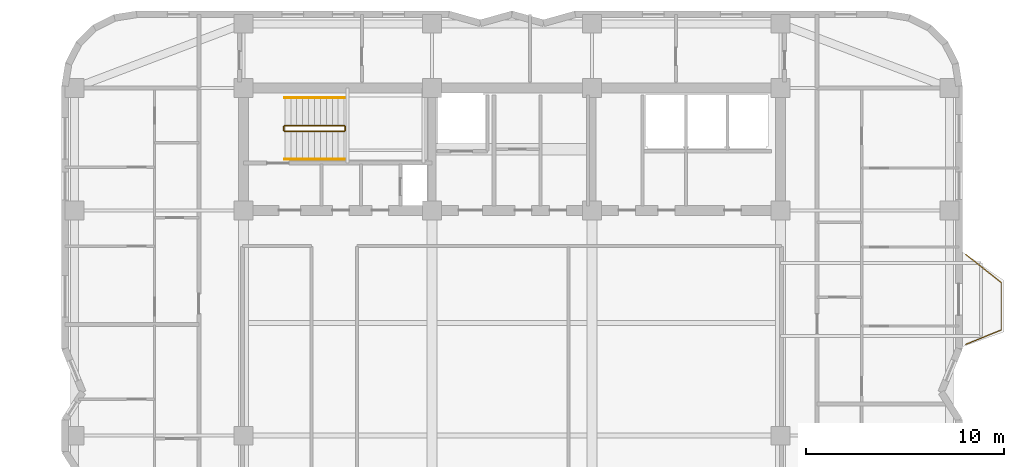
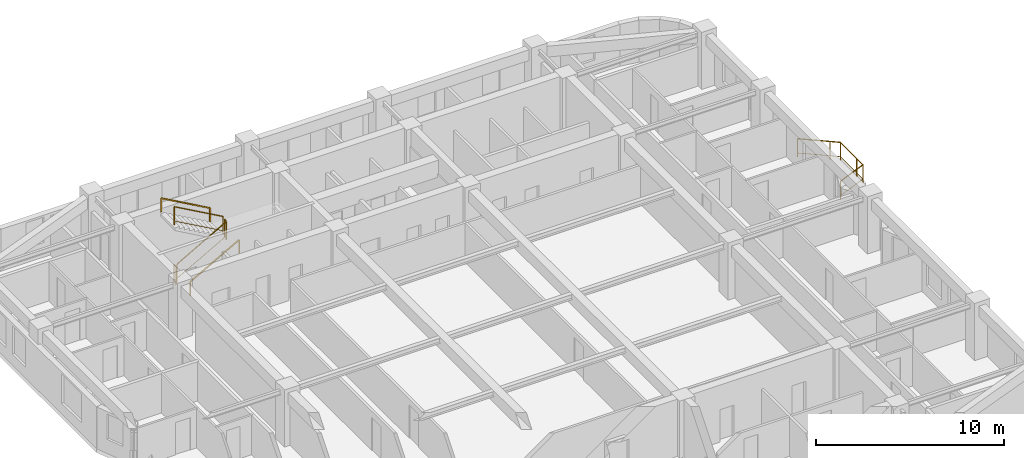
# One storey, part 9 of 9: 7 railings.
"""IFC4 building model written with IfcOpenShell, lengths in metres."""

from ifc_helpers import new_model, si_unit, direction, frame, origin, origin_2d, place, context, subcontext, project, spatial, rectangle, extrude, material, type_object, element, save


model = new_model("IFC4")

# Units and contexts
model_context = context("Model", 3, precision=1e-05, world=origin(), true_north=direction((0.0, 1.0)))
body_context = subcontext(model_context, "Body", "Model", "MODEL_VIEW")
ifc_project = project(units=[si_unit("LENGTHUNIT", "METRE"), si_unit("AREAUNIT", "SQUARE_METRE"), si_unit("VOLUMEUNIT", "CUBIC_METRE"), si_unit("PLANEANGLEUNIT", "RADIAN"), si_unit("MASSUNIT", "GRAM", prefix="KILO")], contexts=[model_context])

# Site, building, storey
site_placement = place(None, origin())
site = spatial("IfcSite", under=ifc_project, at=site_placement, CompositionType="ELEMENT")
building_placement = place(site_placement, origin())
building = spatial("IfcBuilding", under=site, at=building_placement, Name="Svetorya Sky Lyceum", CompositionType="ELEMENT")
storey_placement = place(building_placement, frame((0.0, 0.0, 162.60009765625)))
storey = spatial("IfcBuildingStorey", under=building, at=storey_placement, Name="L40", CompositionType="ELEMENT", Elevation=162.60009765625)

# Railings
ifc_material_1 = material(Name="Laminated safety glass and stainless AISI 316", Category="glass")
railing_type_1 = type_object("IfcRailingType", Name="RL-BAL-1200", PredefinedType="BALUSTRADE", material=ifc_material_1)
railing_1_placement = place(storey_placement, frame((62.169921875, 37.3798828125, 0.0)))
element("IfcRailing", 1, at=railing_1_placement, inside=storey, type_object=railing_type_1, Name="L40 Balcony Balustrade BAL-E1", PredefinedType="BALUSTRADE", context=body_context, shape_type="SweptSolid", body=[
    extrude(rectangle(XDim=0.048095703125, YDim=0.048095703125, at=origin_2d()), frame((0.0, 0.0, 1.17578125), z_axis=(0.783008919264, -0.622010476079, 0.0), x_axis=(0.622010476079, 0.783008919264, 0.0)), (0.0, 0.0, 1.0), 2.298828125),
    extrude(rectangle(XDim=0.02392578125, YDim=0.02392578125, at=origin_2d()), frame((0.0, 0.0, 0.25), z_axis=(0.783008919264, -0.622010476079, 0.0), x_axis=(0.622010476079, 0.783008919264, 0.0)), (0.0, 0.0, 1.0), 2.298828125),
    extrude(rectangle(XDim=0.048095703125, YDim=0.048095703125, at=origin_2d()), frame((1.800048828125, -1.429931640625, 1.17578125), z_axis=(0.0, -1.0, 0.0), x_axis=(1.0, 0.0, 0.0)), (0.0, 0.0, 1.0), 2.39990234375),
    extrude(rectangle(XDim=0.02392578125, YDim=0.02392578125, at=origin_2d()), frame((1.800048828125, -1.429931640625, 0.25), z_axis=(0.0, -1.0, 0.0), x_axis=(1.0, 0.0, 0.0)), (0.0, 0.0, 1.0), 2.39990234375),
    extrude(rectangle(XDim=0.048095703125, YDim=0.048095703125, at=origin_2d()), frame((1.800048828125, -3.829833984375, 1.17578125), z_axis=(-0.926697865975, -0.375807218129, 0.0), x_axis=(0.375807218129, -0.926697865975, 0.0)), (0.0, 0.0, 1.0), 1.9423828125),
    extrude(rectangle(XDim=0.02392578125, YDim=0.02392578125, at=origin_2d()), frame((1.800048828125, -3.829833984375, 0.25), z_axis=(-0.926697865975, -0.375807218129, 0.0), x_axis=(0.375807218129, -0.926697865975, 0.0)), (0.0, 0.0, 1.0), 1.9423828125),
    extrude(rectangle(XDim=0.0419921875, YDim=0.0419921875, at=origin_2d()), origin(), (0.0, 0.0, 1.0), 1.15185546875),
    extrude(rectangle(XDim=0.0419921875, YDim=0.0419921875, at=origin_2d()), frame((1.370361328125, -1.088623046875, 0.0)), (0.0, 0.0, 1.0), 1.15185546875),
    extrude(rectangle(XDim=0.0419921875, YDim=0.0419921875, at=origin_2d()), frame((1.800048828125, -1.429931640625, 0.0)), (0.0, 0.0, 1.0), 1.15185546875),
    extrude(rectangle(XDim=0.0419921875, YDim=0.0419921875, at=origin_2d()), frame((1.800048828125, -3.179931640625, 0.0)), (0.0, 0.0, 1.0), 1.15185546875),
    extrude(rectangle(XDim=0.0419921875, YDim=0.0419921875, at=origin_2d()), frame((1.800048828125, -3.829833984375, 0.0)), (0.0, 0.0, 1.0), 1.15185546875),
    extrude(rectangle(XDim=0.0419921875, YDim=0.0419921875, at=origin_2d()), frame((0.0, -4.559814453125, 0.0)), (0.0, 0.0, 1.0), 1.15185546875),
])
ifc_material_2 = material(Name="Painted galvanized stair well guard")
railing_type_2 = type_object("IfcRailingType", Name="RL-STR-GUARD-1200", PredefinedType="GUARDRAIL", material=ifc_material_2)
railing_2_placement = place(storey_placement, frame((27.699951171875, 43.60009765625, 0.16796875)))
element("IfcRailing", 2, at=railing_2_placement, inside=storey, type_object=railing_type_2, Name="L40 ST-N stair guard 1", PredefinedType="GUARDRAIL", context=body_context, shape_type="SweptSolid", body=[
    extrude(rectangle(XDim=0.048095703125, YDim=0.048095703125, at=origin_2d()), frame((0.0, 0.0, 1.17578125), z_axis=(0.872272294576, 0.0, 0.489020494575), x_axis=(0.0, 1.0, 0.0)), (0.0, 0.0, 1.0), 3.439208984375),
    extrude(rectangle(XDim=0.02392578125, YDim=0.02392578125, at=origin_2d()), frame((0.0, 0.0, 0.25), z_axis=(0.872272294576, 0.0, 0.489020494575), x_axis=(0.0, 1.0, 0.0)), (0.0, 0.0, 1.0), 3.439208984375),
    extrude(rectangle(XDim=0.0419921875, YDim=0.0419921875, at=origin_2d()), origin(), (0.0, 0.0, 1.0), 1.15185546875),
    extrude(rectangle(XDim=0.0419921875, YDim=0.0419921875, at=origin_2d()), frame((3.0, 0.0, 1.681884765625)), (0.0, 0.0, 1.0), 1.15185546875),
])
railing_3_placement = place(storey_placement, frame((30.75, 43.64990234375, 1.849853515625)))
element("IfcRailing", 3, at=railing_3_placement, inside=storey, type_object=railing_type_2, Name="L40 ST-N stair guard 2", PredefinedType="GUARDRAIL", context=body_context, shape_type="SweptSolid", body=[
    extrude(rectangle(XDim=0.048095703125, YDim=0.048095703125, at=origin_2d()), frame((0.0, 0.0, 1.17578125), z_axis=(0.0, 1.0, 0.0), x_axis=(-1.0, 0.0, 0.0)), (0.0, 0.0, 1.0), 0.2001953125),
    extrude(rectangle(XDim=0.02392578125, YDim=0.02392578125, at=origin_2d()), frame((0.0, 0.0, 0.25), z_axis=(0.0, 1.0, 0.0), x_axis=(-1.0, 0.0, 0.0)), (0.0, 0.0, 1.0), 0.2001953125),
    extrude(rectangle(XDim=0.0419921875, YDim=0.0419921875, at=origin_2d()), origin(), (0.0, 0.0, 1.0), 1.15185546875),
    extrude(rectangle(XDim=0.0419921875, YDim=0.0419921875, at=origin_2d()), frame((0.0, 0.2001953125, 0.0)), (0.0, 0.0, 1.0), 1.15185546875),
])
railing_4_placement = place(storey_placement, frame((30.699951171875, 43.89990234375, 2.01806640625)))
element("IfcRailing", 4, at=railing_4_placement, inside=storey, type_object=railing_type_2, Name="L40 ST-N stair guard 3", PredefinedType="GUARDRAIL", context=body_context, shape_type="SweptSolid", body=[
    extrude(rectangle(XDim=0.048095703125, YDim=0.048095703125, at=origin_2d()), frame((0.0, 0.0, 1.17578125), z_axis=(-0.872272294576, 0.0, 0.489020494575), x_axis=(0.0, -1.0, 0.0)), (0.0, 0.0, 1.0), 3.439208984375),
    extrude(rectangle(XDim=0.02392578125, YDim=0.02392578125, at=origin_2d()), frame((0.0, 0.0, 0.25), z_axis=(-0.872272294576, 0.0, 0.489020494575), x_axis=(0.0, -1.0, 0.0)), (0.0, 0.0, 1.0), 3.439208984375),
    extrude(rectangle(XDim=0.0419921875, YDim=0.0419921875, at=origin_2d()), origin(), (0.0, 0.0, 1.0), 1.15185546875),
    extrude(rectangle(XDim=0.0419921875, YDim=0.0419921875, at=origin_2d()), frame((-3.0, 0.0, 1.681884765625)), (0.0, 0.0, 1.0), 1.15185546875),
])
railing_5_placement = place(storey_placement, frame((27.64990234375, 43.64990234375, 0.0)))
element("IfcRailing", 5, at=railing_5_placement, inside=storey, type_object=railing_type_2, Name="L40 ST-N stair guard 4", PredefinedType="GUARDRAIL", context=body_context, shape_type="SweptSolid", body=[
    extrude(rectangle(XDim=0.048095703125, YDim=0.048095703125, at=origin_2d()), frame((0.0, 0.0, 1.17578125), z_axis=(0.0, 1.0, 0.0), x_axis=(-1.0, 0.0, 0.0)), (0.0, 0.0, 1.0), 0.2001953125),
    extrude(rectangle(XDim=0.02392578125, YDim=0.02392578125, at=origin_2d()), frame((0.0, 0.0, 0.25), z_axis=(0.0, 1.0, 0.0), x_axis=(-1.0, 0.0, 0.0)), (0.0, 0.0, 1.0), 0.2001953125),
    extrude(rectangle(XDim=0.0419921875, YDim=0.0419921875, at=origin_2d()), origin(), (0.0, 0.0, 1.0), 1.15185546875),
    extrude(rectangle(XDim=0.0419921875, YDim=0.0419921875, at=origin_2d()), frame((0.0, 0.2001953125, 0.0)), (0.0, 0.0, 1.0), 1.15185546875),
])
ifc_material_3 = material(Name="Brushed stainless AISI 304 stair handrail")
railing_type_3 = type_object("IfcRailingType", Name="RL-STR-HAND-920", PredefinedType="HANDRAIL", material=ifc_material_3)
railing_6_placement = place(storey_placement, frame((27.699951171875, 42.199951171875, 0.16796875)))
element("IfcRailing", 6, at=railing_6_placement, inside=storey, type_object=railing_type_3, Name="L40 ST-N stair handrail 1", PredefinedType="HANDRAIL", context=body_context, shape_type="SweptSolid", body=[
    extrude(rectangle(XDim=0.048095703125, YDim=0.048095703125, at=origin_2d()), frame((0.0, 0.0, 0.8759765625), z_axis=(0.872272294576, 0.0, 0.489020494575), x_axis=(0.0, 1.0, 0.0)), (0.0, 0.0, 1.0), 3.439208984375),
    extrude(rectangle(XDim=0.0419921875, YDim=0.0419921875, at=origin_2d()), origin(), (0.0, 0.0, 1.0), 0.851806640625),
    extrude(rectangle(XDim=0.0419921875, YDim=0.0419921875, at=origin_2d()), frame((3.0, 0.0, 1.681884765625)), (0.0, 0.0, 1.0), 0.851806640625),
])
railing_7_placement = place(storey_placement, frame((30.699951171875, 45.300048828125, 2.01806640625)))
element("IfcRailing", 7, at=railing_7_placement, inside=storey, type_object=railing_type_3, Name="L40 ST-N stair handrail 2", PredefinedType="HANDRAIL", context=body_context, shape_type="SweptSolid", body=[
    extrude(rectangle(XDim=0.048095703125, YDim=0.048095703125, at=origin_2d()), frame((0.0, 0.0, 0.8759765625), z_axis=(-0.872272294576, 0.0, 0.489020494575), x_axis=(0.0, -1.0, 0.0)), (0.0, 0.0, 1.0), 3.439208984375),
    extrude(rectangle(XDim=0.0419921875, YDim=0.0419921875, at=origin_2d()), origin(), (0.0, 0.0, 1.0), 0.851806640625),
    extrude(rectangle(XDim=0.0419921875, YDim=0.0419921875, at=origin_2d()), frame((-3.0, 0.0, 1.681884765625)), (0.0, 0.0, 1.0), 0.851806640625),
])

save(model, "model.ifc")
